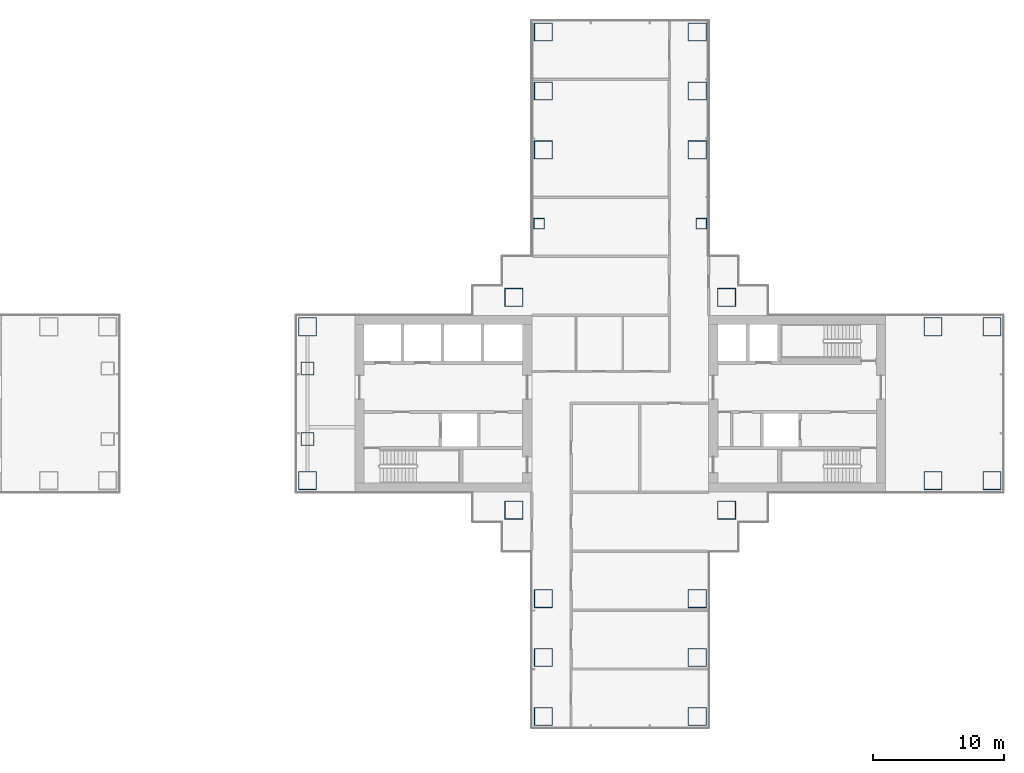
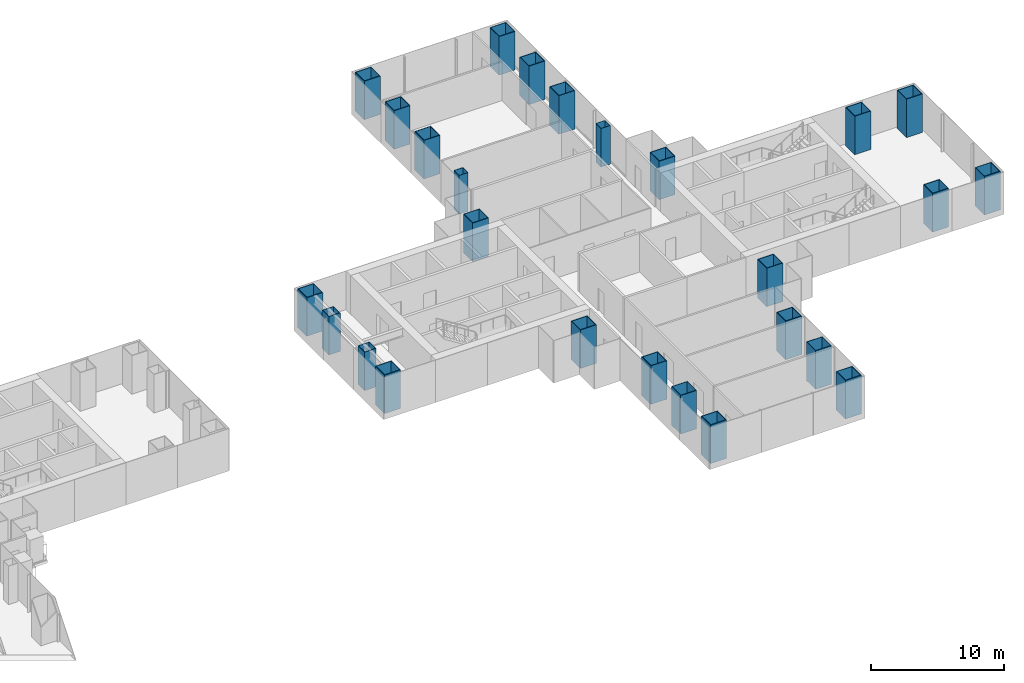
# One storey, part 2 of 21: 26 columns.
"""IFC4 building model written with IfcOpenShell, lengths in metres."""

from ifc_helpers import new_model, si_unit, direction, frame, origin, origin_2d, place, context, subcontext, project, spatial, hollow_rectangle, extrude, material, material_profile, profile_set, type_object, element, save


model = new_model("IFC4")

# Units and contexts
model_context = context("Model", 3, precision=1e-05, world=origin(), true_north=direction((0.0, 1.0)))
body_context = subcontext(model_context, "Body", "Model", "MODEL_VIEW")
ifc_project = project(units=[si_unit("LENGTHUNIT", "METRE"), si_unit("AREAUNIT", "SQUARE_METRE"), si_unit("VOLUMEUNIT", "CUBIC_METRE"), si_unit("PLANEANGLEUNIT", "RADIAN"), si_unit("MASSUNIT", "GRAM", prefix="KILO")], contexts=[model_context])

# Site, building, storey
site_placement = place(None, origin())
site = spatial("IfcSite", under=ifc_project, at=site_placement, CompositionType="ELEMENT")
building_placement = place(site_placement, origin())
building = spatial("IfcBuilding", under=site, at=building_placement, Name="Shamsa Quay Exchange Towers", CompositionType="ELEMENT")
storey_placement = place(building_placement, frame((0.0, 0.0, 42.0)))
storey = spatial("IfcBuildingStorey", under=building, at=storey_placement, Name="L08", CompositionType="ELEMENT", Elevation=42.0)

# Columns
ifc_material_1 = material(Name="Concrete-filled steel tube S355 / C80/95", Category="concrete")
ifc_material_profile_1 = material_profile(ifc_material_1, hollow_rectangle(XDim=1.39990234375, YDim=1.39990234375, WallThickness=0.050048828125, at=origin_2d()), Name="CFT 1400x1400x50")
ifc_profile_set_1 = profile_set([ifc_material_profile_1], Name="Concrete-filled steel tube S355 / C80/95")
column_type_1 = type_object("IfcColumnType", Name="Column CFT 1400x1400x50", PredefinedType="COLUMN", material=ifc_profile_set_1)
for number, where, name in (
    (1, (25.625, 8.125, 0.0), "Mega column T2-CM01"),
    (2, (41.875, 8.125, 0.0), "Mega column T2-CM02"),
    (3, (25.625, -8.125, 0.0), "Mega column T2-CM03"),
    (4, (41.875, -8.125, 0.0), "Mega column T2-CM04"),
    (5, (39.625, 19.375, 0.0), "Mega column T2-CM06"),
    (6, (39.625, 23.875, 0.0), "Mega column T2-CM07"),
    (7, (39.625, 28.375, 0.0), "Mega column T2-CM08"),
    (8, (27.875, 19.375, 0.0), "Mega column T2-CM10"),
    (9, (27.875, 23.875, 0.0), "Mega column T2-CM11"),
    (10, (27.875, 28.375, 0.0), "Mega column T2-CM12"),
    (11, (39.625, -14.875, 0.0), "Mega column T2-CM13"),
    (12, (39.625, -19.375, 0.0), "Mega column T2-CM14"),
    (13, (39.625, -23.875, 0.0), "Mega column T2-CM15"),
    (14, (27.875, -14.875, 0.0), "Mega column T2-CM16"),
    (15, (27.875, -19.375, 0.0), "Mega column T2-CM17"),
    (16, (27.875, -23.875, 0.0), "Mega column T2-CM18"),
    (17, (9.875, -5.875, 0.0), "Mega column T2-CM19"),
    (18, (9.875, 5.875, 0.0), "Mega column T2-CM20"),
    (19, (57.625, -5.875, 0.0), "Mega column T2-CM21"),
    (20, (62.125, -5.875, 0.0), "Mega column T2-CM22"),
    (21, (57.625, 5.875, 0.0), "Mega column T2-CM23"),
    (22, (62.125, 5.875, 0.0), "Mega column T2-CM24"),
):
    element("IfcColumn", number, at=place(storey_placement, frame(where)), inside=storey, type_object=column_type_1, Name=name, PredefinedType="COLUMN", context=body_context, shape_type="SweptSolid", body=[
        extrude(hollow_rectangle(XDim=1.39990234375, YDim=1.39990234375, WallThickness=0.050048828125, at=origin_2d()), origin(), (0.0, 0.0, 1.0), 3.550048828125),
    ])
ifc_material_2 = material(Name="Concrete-filled steel tube S355 / C60/75", Category="concrete")
ifc_material_profile_2 = material_profile(ifc_material_2, hollow_rectangle(XDim=0.800048828125, YDim=0.800048828125, WallThickness=0.02490234375, at=origin_2d()), Name="CFT 800x800x25")
ifc_profile_set_2 = profile_set([ifc_material_profile_2], Name="Concrete-filled steel tube S355 / C60/75")
column_type_2 = type_object("IfcColumnType", Name="Column CFT 800x800x25", PredefinedType="COLUMN", material=ifc_profile_set_2)
for number, where, name in (
    (23, (39.9375, 13.75, 0.0), "Perimeter column T2-CP05"),
    (24, (27.5625, 13.75, 0.0), "Perimeter column T2-CP09"),
):
    element("IfcColumn", number, at=place(storey_placement, frame(where)), inside=storey, type_object=column_type_2, Name=name, PredefinedType="COLUMN", context=body_context, shape_type="SweptSolid", body=[
        extrude(hollow_rectangle(XDim=0.800048828125, YDim=0.800048828125, WallThickness=0.02490234375, at=origin_2d()), origin(), (0.0, 0.0, 1.0), 3.550048828125),
    ])
ifc_material_3 = material(Name="Concrete-filled steel tube S355 / C70/85", Category="concrete")
ifc_material_profile_3 = material_profile(ifc_material_3, hollow_rectangle(XDim=1.0, YDim=1.0, WallThickness=0.0400390625, at=origin_2d()), Name="CFT 1000x1000x40")
ifc_profile_set_3 = profile_set([ifc_material_profile_3], Name="Concrete-filled steel tube S355 / C70/85")
column_type_3 = type_object("IfcColumnType", Name="Landing column CFT 1000x1000x40", PredefinedType="COLUMN", material=ifc_profile_set_3)
for number, where, name in (
    (25, (9.875, -2.699951171875, 0.0), "Landing column T2 S"),
    (26, (9.875, 2.699951171875, 0.0), "Landing column T2 N"),
):
    element("IfcColumn", number, at=place(storey_placement, frame(where)), inside=storey, type_object=column_type_3, Name=name, PredefinedType="COLUMN", context=body_context, shape_type="SweptSolid", body=[
        extrude(hollow_rectangle(XDim=1.0, YDim=1.0, WallThickness=0.0400390625, at=origin_2d()), origin(), (0.0, 0.0, 1.0), 3.550048828125),
    ])

save(model, "model.ifc")
